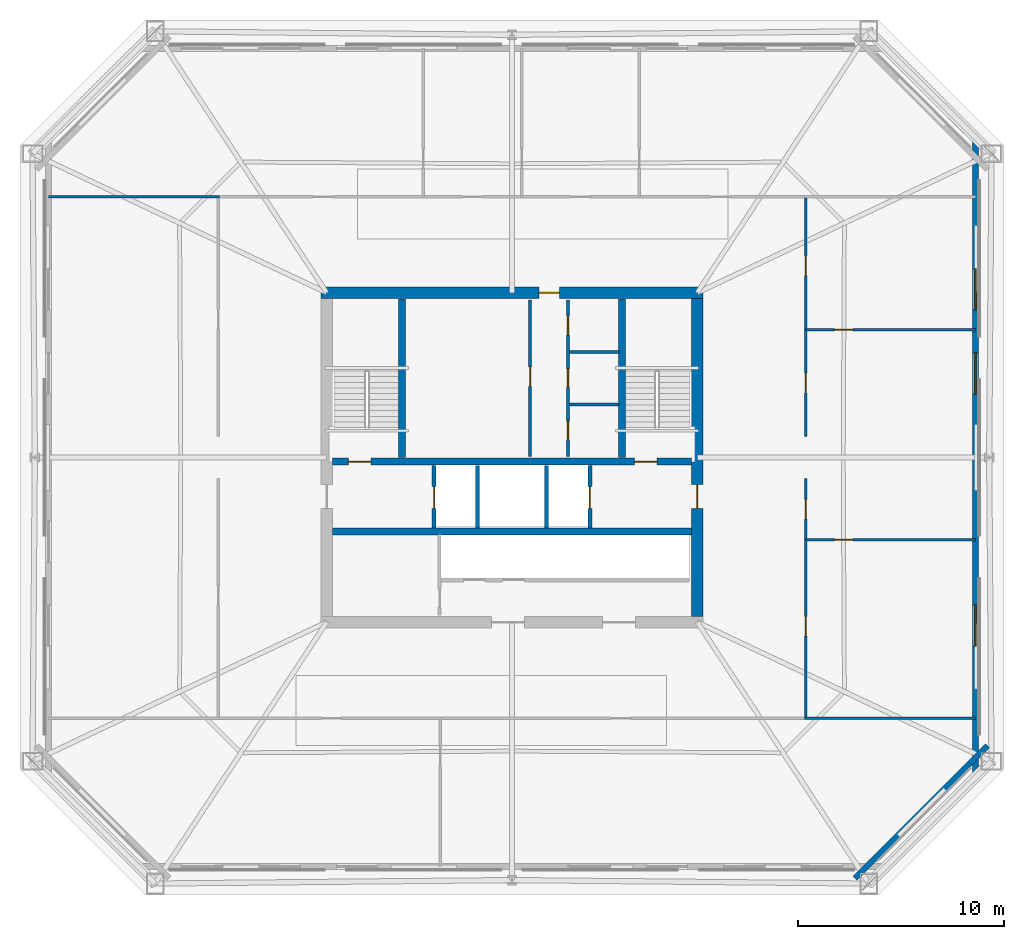
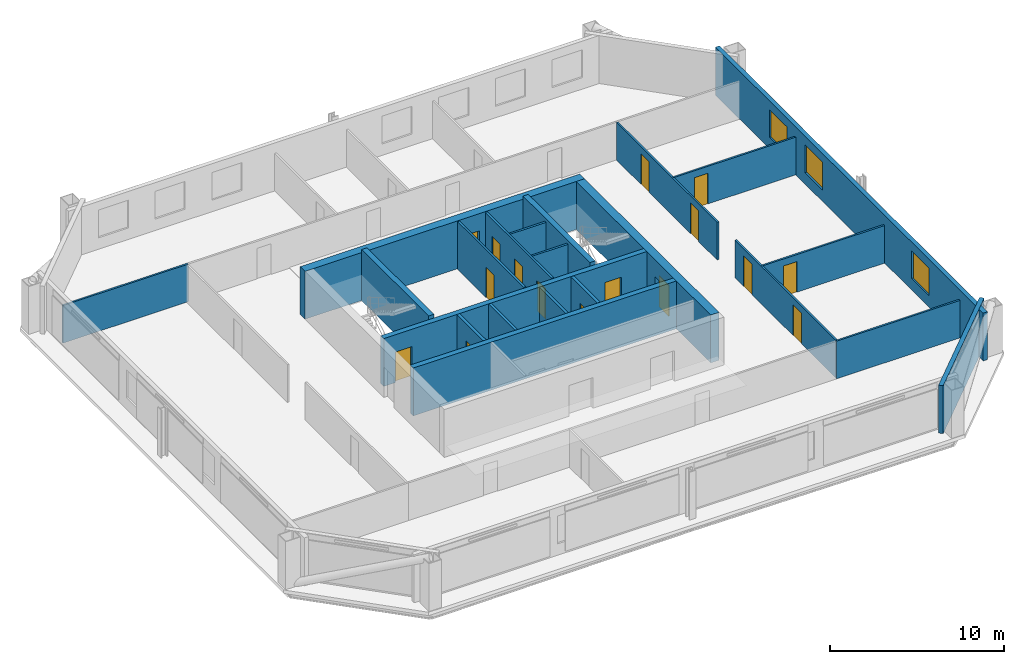
# One storey, part 3 of 6: 22 walls, 16 doors, 3 windows, 19 openings.
"""IFC4 building model written with IfcOpenShell, lengths in metres."""

from ifc_helpers import new_model, si_unit, direction, frame, frame_2d, origin, place, context, subcontext, project, spatial, rectangle, extrude, material, layer, layer_set, type_object, element, fill, save


model = new_model("IFC4")

# Units and contexts
model_context = context("Model", 3, precision=1e-05, world=origin(), true_north=direction((0.0, 1.0)))
body_context = subcontext(model_context, "Body", "Model", "MODEL_VIEW")
ifc_project = project(units=[si_unit("LENGTHUNIT", "METRE"), si_unit("AREAUNIT", "SQUARE_METRE"), si_unit("VOLUMEUNIT", "CUBIC_METRE"), si_unit("PLANEANGLEUNIT", "RADIAN"), si_unit("MASSUNIT", "GRAM", prefix="KILO")], contexts=[model_context])

# Site, building, storey
site_placement = place(None, origin())
site = spatial("IfcSite", under=ifc_project, at=site_placement, CompositionType="ELEMENT")
building_placement = place(site_placement, origin())
building = spatial("IfcBuilding", under=site, at=building_placement, Name="Caelvoria Tower", CompositionType="ELEMENT")
storey_placement = place(building_placement, frame((0.0, 0.0, 131.199951171875)))
storey = spatial("IfcBuildingStorey", under=building, at=storey_placement, Name="L34", CompositionType="ELEMENT", Elevation=131.199951171875)

# Wall, openings, doors
ifc_material_1 = material(Name="Concrete C50/60", Category="concrete")
ifc_layer_1 = layer(ifc_material_1, 0.35009765625, Name="Concrete C50/60")
ifc_layer_set_1 = layer_set([ifc_layer_1], Name="Core Internal Shear Wall 350 - Concrete C50/60")
wall_type_1 = type_object("IfcWallType", Name="Core Internal Shear Wall 350", PredefinedType="SHEAR", material=ifc_layer_set_1)
wall_1_placement = place(storey_placement, frame((37.27490234375, 31.800048828125, 0.0), z_axis=(0.0, 0.0, 1.0), x_axis=(1.0, 0.0, 0.0)))
wall_1 = element("IfcWall", 1, at=wall_1_placement, inside=storey, type_object=wall_type_1, Name="Core Shear Wall L34 M1", PredefinedType="SHEAR", context=body_context, shape_type="SweptSolid", body=[
    extrude(rectangle(XDim=17.4501953125, YDim=0.35009765625, at=frame_2d((8.72509765625, 0.0))), origin(), (0.0, 0.0, 1.0), 3.360107421875),
])
opening_1_placement = place(wall_1_placement, frame((0.77490234375, 0.0, 0.0)))
opening_1 = element("IfcOpeningElement", 2, at=opening_1_placement, cuts=wall_1, Name="Opening ID-01", PredefinedType="OPENING", context=body_context, shape_type="SweptSolid", body=[
    extrude(rectangle(XDim=1.10009765625, YDim=2.14990234375, at=frame_2d((0.550048828125, 1.074951171875))), frame((0.0, 0.18505859375, 0.0), z_axis=(0.0, -1.0, 0.0), x_axis=(1.0, 0.0, 0.0)), (0.0, 0.0, 1.0), 0.3701171875),
])
opening_2_placement = place(wall_1_placement, frame((14.675048828125, 0.0, 0.0)))
opening_2 = element("IfcOpeningElement", 3, at=opening_2_placement, cuts=wall_1, Name="Opening ID-01", PredefinedType="OPENING", context=body_context, shape_type="SweptSolid", body=[
    extrude(rectangle(XDim=1.10009765625, YDim=2.14990234375, at=frame_2d((0.550048828125, 1.074951171875))), frame((0.0, 0.18505859375, 0.0), z_axis=(0.0, -1.0, 0.0), x_axis=(1.0, 0.0, 0.0)), (0.0, 0.0, 1.0), 0.3701171875),
])
ifc_material_2 = material(Name="Painted Hollow Steel Fire Door", Category="steel")
door_type_1 = type_object("IfcDoorType", Name="Fire Door FD90S 1100x2150", OperationType="NOTDEFINED", PredefinedType="DOOR", material=ifc_material_2)
door_1_placement = place(opening_1_placement, origin())
door_1 = element("IfcDoor", 4, at=door_1_placement, inside=storey, type_object=door_type_1, Name="Core Door DR-L34-ST1", OperationType="SINGLE_SWING_LEFT", OverallHeight=2.14990234375, OverallWidth=1.10009765625, PredefinedType="DOOR", context=body_context, shape_type="SweptSolid", body=[
    extrude(rectangle(XDim=1.10009765625, YDim=2.14990234375, at=frame_2d((0.550048828125, 1.074951171875))), frame((0.0, 0.02490234375, 0.0), z_axis=(0.0, -1.0, 0.0), x_axis=(1.0, 0.0, 0.0)), (0.0, 0.0, 1.0), 0.050048828125),
])
fill(opening_1, door_1)
door_2_placement = place(opening_2_placement, origin())
door_2 = element("IfcDoor", 5, at=door_2_placement, inside=storey, type_object=door_type_1, Name="Core Door DR-L34-ST2", OperationType="SINGLE_SWING_RIGHT", OverallHeight=2.14990234375, OverallWidth=1.10009765625, PredefinedType="DOOR", context=body_context, shape_type="SweptSolid", body=[
    extrude(rectangle(XDim=1.10009765625, YDim=2.14990234375, at=frame_2d((0.550048828125, 1.074951171875))), frame((0.0, 0.02490234375, 0.0), z_axis=(0.0, -1.0, 0.0), x_axis=(1.0, 0.0, 0.0)), (0.0, 0.0, 1.0), 0.050048828125),
])
fill(opening_2, door_2)

# Walls
wall_2_placement = place(storey_placement, frame((37.27490234375, 28.39990234375, 0.0), z_axis=(0.0, 0.0, 1.0), x_axis=(1.0, 0.0, 0.0)))
element("IfcWall", 6, at=wall_2_placement, inside=storey, type_object=wall_type_1, Name="Core Shear Wall L34 M2", PredefinedType="SHEAR", context=body_context, shape_type="SweptSolid", body=[
    extrude(rectangle(XDim=17.4501953125, YDim=0.35009765625, at=frame_2d((8.72509765625, 0.0))), origin(), (0.0, 0.0, 1.0), 3.360107421875),
])
for number, where, z_axis, x_axis, name in (
    (7, (40.64990234375, 32.0, 0.0), (0.0, 0.0, 1.0), (0.0, 1.0, 0.0), "Interior Partition IW-L34-ST1E"),
    (8, (51.35009765625, 32.0, 0.0), (0.0, 0.0, 1.0), (0.0, 1.0, 0.0), "Interior Partition IW-L34-ST2W"),
):
    element("IfcWall", number, at=place(storey_placement, frame(where, z_axis=z_axis, x_axis=x_axis)), inside=storey, type_object=wall_type_1, Name=name, PredefinedType="SHEAR", context=body_context, shape_type="SweptSolid", body=[
        extrude(rectangle(XDim=7.699951171875, YDim=0.35009765625, at=frame_2d((3.85009765625, 0.0))), origin(), (0.0, 0.0, 1.0), 3.60009765625),
    ])

# Wall, opening, door
ifc_material_3 = material(Name="Moisture-Resistant Gypsum on Steel Stud", Category="steel")
ifc_layer_2 = layer(ifc_material_3, 0.139892578125, Name="Moisture-Resistant Gypsum on Steel Stud")
ifc_layer_set_2 = layer_set([ifc_layer_2], Name="Core Sanitary Acoustic Partition Wall 140 - Moisture-Resistant Gypsum on Steel Stud")
wall_type_2 = type_object("IfcWallType", Name="Core Sanitary Acoustic Partition Wall 140", PredefinedType="PARTITIONING", material=ifc_layer_set_2)
wall_3_placement = place(storey_placement, frame((46.8798828125, 32.050048828125, 0.0), z_axis=(0.0, 0.0, 1.0), x_axis=(0.0, 1.0, 0.0)))
wall_3 = element("IfcWall", 9, at=wall_3_placement, inside=storey, type_object=wall_type_2, Name="Interior Partition IW-L34-C2L", PredefinedType="PARTITIONING", context=body_context, shape_type="SweptSolid", body=[
    extrude(rectangle(XDim=7.599853515625, YDim=0.139892578125, at=frame_2d((3.7998046875, 0.0))), origin(), (0.0, 0.0, 1.0), 3.360107421875),
])
opening_3_placement = place(wall_3_placement, frame((3.39990234375, 0.0, 0.0)))
opening_3 = element("IfcOpeningElement", 10, at=opening_3_placement, cuts=wall_3, Name="Opening ID-05", PredefinedType="OPENING", context=body_context, shape_type="SweptSolid", body=[
    extrude(rectangle(XDim=0.949951171875, YDim=2.14990234375, at=frame_2d((0.47509765625, 1.074951171875))), frame((0.0, 0.079833984375, 0.0), z_axis=(0.0, -1.0, 0.0), x_axis=(1.0, 0.0, 0.0)), (0.0, 0.0, 1.0), 0.159912109375),
])
ifc_material_4 = material(Name="Engineered Andean Oak Veneer Door", Category="wood")
door_type_2 = type_object("IfcDoorType", Name="Interior Timber Door 950x2150", OperationType="NOTDEFINED", PredefinedType="DOOR", material=ifc_material_4)
door_3_placement = place(opening_3_placement, origin())
door_3 = element("IfcDoor", 11, at=door_3_placement, inside=storey, type_object=door_type_2, Name="Interior Door DR-L34-C2W", OperationType="SINGLE_SWING_LEFT", OverallHeight=2.14990234375, OverallWidth=0.949951171875, PredefinedType="DOOR", context=body_context, shape_type="SweptSolid", body=[
    extrude(rectangle(XDim=0.949951171875, YDim=2.14990234375, at=frame_2d((0.47509765625, 1.074951171875))), frame((0.0, 0.02490234375, 0.0), z_axis=(0.0, -1.0, 0.0), x_axis=(1.0, 0.0, 0.0)), (0.0, 0.0, 1.0), 0.050048828125),
])
fill(opening_3, door_3)

# Wall, openings, doors
wall_4_placement = place(storey_placement, frame((48.719970703125, 32.050048828125, 0.0), z_axis=(0.0, 0.0, 1.0), x_axis=(0.0, 1.0, 0.0)))
wall_4 = element("IfcWall", 12, at=wall_4_placement, inside=storey, type_object=wall_type_2, Name="Interior Partition IW-L34-C2R", PredefinedType="PARTITIONING", context=body_context, shape_type="SweptSolid", body=[
    extrude(rectangle(XDim=7.599853515625, YDim=0.139892578125, at=frame_2d((3.7998046875, 0.0))), origin(), (0.0, 0.0, 1.0), 3.360107421875),
])
opening_4_placement = place(wall_4_placement, frame((0.800048828125, 0.0, 0.0)))
opening_4 = element("IfcOpeningElement", 13, at=opening_4_placement, cuts=wall_4, Name="Opening ID-04", PredefinedType="OPENING", context=body_context, shape_type="SweptSolid", body=[
    extrude(rectangle(XDim=0.89990234375, YDim=2.14990234375, at=frame_2d((0.449951171875, 1.074951171875))), frame((0.0, 0.079833984375, 0.0), z_axis=(0.0, -1.0, 0.0), x_axis=(1.0, 0.0, 0.0)), (0.0, 0.0, 1.0), 0.159912109375),
])
opening_5_placement = place(wall_4_placement, frame((3.35009765625, 0.0, 0.0)))
opening_5 = element("IfcOpeningElement", 14, at=opening_5_placement, cuts=wall_4, Name="Opening ID-06", PredefinedType="OPENING", context=body_context, shape_type="SweptSolid", body=[
    extrude(rectangle(XDim=0.89990234375, YDim=2.14990234375, at=frame_2d((0.449951171875, 1.074951171875))), frame((0.0, 0.079833984375, 0.0), z_axis=(0.0, -1.0, 0.0), x_axis=(1.0, 0.0, 0.0)), (0.0, 0.0, 1.0), 0.159912109375),
])
opening_6_placement = place(wall_4_placement, frame((5.89990234375, 0.0, 0.0)))
opening_6 = element("IfcOpeningElement", 15, at=opening_6_placement, cuts=wall_4, Name="Opening ID-07", PredefinedType="OPENING", context=body_context, shape_type="SweptSolid", body=[
    extrude(rectangle(XDim=0.919921875, YDim=2.14990234375, at=frame_2d((0.4599609375, 1.074951171875))), frame((0.0, 0.079833984375, 0.0), z_axis=(0.0, -1.0, 0.0), x_axis=(1.0, 0.0, 0.0)), (0.0, 0.0, 1.0), 0.159912109375),
])
ifc_material_5 = material(Name="Engineered Andean Oak Accessible Door", Category="wood")
door_type_3 = type_object("IfcDoorType", Name="Accessible WC Door 950x2150", OperationType="NOTDEFINED", PredefinedType="DOOR", material=ifc_material_5)
door_4_placement = place(opening_6_placement, origin())
door_4 = element("IfcDoor", 16, at=door_4_placement, inside=storey, type_object=door_type_3, Name="Interior Door DR-L34-C2E3", OperationType="SINGLE_SWING_RIGHT", OverallHeight=2.14990234375, OverallWidth=0.919921875, PredefinedType="DOOR", context=body_context, shape_type="SweptSolid", body=[
    extrude(rectangle(XDim=0.919921875, YDim=2.14990234375, at=frame_2d((0.4599609375, 1.074951171875))), frame((0.0, 0.02490234375, 0.0), z_axis=(0.0, -1.0, 0.0), x_axis=(1.0, 0.0, 0.0)), (0.0, 0.0, 1.0), 0.050048828125),
])
fill(opening_6, door_4)
ifc_material_6 = material(Name="Acoustic Timber Fire Door", Category="wood")
door_type_4 = type_object("IfcDoorType", Name="Fire Door FD30S 900x2150", OperationType="NOTDEFINED", PredefinedType="DOOR", material=ifc_material_6)
door_5_placement = place(opening_4_placement, origin())
door_5 = element("IfcDoor", 17, at=door_5_placement, inside=storey, type_object=door_type_4, Name="Interior Door DR-L34-C2E1", OperationType="SINGLE_SWING_RIGHT", OverallHeight=2.14990234375, OverallWidth=0.89990234375, PredefinedType="DOOR", context=body_context, shape_type="SweptSolid", body=[
    extrude(rectangle(XDim=0.89990234375, YDim=2.14990234375, at=frame_2d((0.449951171875, 1.074951171875))), frame((0.0, 0.02490234375, 0.0), z_axis=(0.0, -1.0, 0.0), x_axis=(1.0, 0.0, 0.0)), (0.0, 0.0, 1.0), 0.050048828125),
])
fill(opening_4, door_5)
door_type_5 = type_object("IfcDoorType", Name="Interior Timber Door 900x2150", OperationType="NOTDEFINED", PredefinedType="DOOR", material=ifc_material_4)
door_6_placement = place(opening_5_placement, origin())
door_6 = element("IfcDoor", 18, at=door_6_placement, inside=storey, type_object=door_type_5, Name="Interior Door DR-L34-C2E2", OperationType="SINGLE_SWING_LEFT", OverallHeight=2.14990234375, OverallWidth=0.89990234375, PredefinedType="DOOR", context=body_context, shape_type="SweptSolid", body=[
    extrude(rectangle(XDim=0.89990234375, YDim=2.14990234375, at=frame_2d((0.449951171875, 1.074951171875))), frame((0.0, 0.02490234375, 0.0), z_axis=(0.0, -1.0, 0.0), x_axis=(1.0, 0.0, 0.0)), (0.0, 0.0, 1.0), 0.050048828125),
])
fill(opening_5, door_6)

# Walls
for number, where, z_axis, x_axis, name in (
    (19, (48.800048828125, 34.580078125, 0.0), (0.0, 0.0, 1.0), (1.0, 0.0, 0.0), "Interior Partition IW-L34-C2H1"),
    (20, (48.800048828125, 37.1201171875, 0.0), (0.0, 0.0, 1.0), (1.0, 0.0, 0.0), "Interior Partition IW-L34-C2H2"),
):
    element("IfcWall", number, at=place(storey_placement, frame(where, z_axis=z_axis, x_axis=x_axis)), inside=storey, type_object=wall_type_2, Name=name, PredefinedType="PARTITIONING", context=body_context, shape_type="SweptSolid", body=[
        extrude(rectangle(XDim=2.39990234375, YDim=0.139892578125, at=frame_2d((1.199951171875, 0.0))), origin(), (0.0, 0.0, 1.0), 3.360107421875),
    ])
ifc_material_7 = material(Name="Precast Concrete C40/50 with Bronze Cladding", Category="concrete")
ifc_layer_3 = layer(ifc_material_7, 0.280029296875, Name="Precast Concrete C40/50 with Bronze Cladding")
ifc_layer_set_3 = layer_set([ifc_layer_3], Name="Exterior Precast Concrete C40/50 Bronze-Clad Facade Wall 280 - Precast Concrete C40/50 with Bronze Cladding")
wall_type_3 = type_object("IfcWallType", Name="Exterior Precast Concrete C40/50 Bronze-Clad Facade Wall 280", PredefinedType="STANDARD", material=ifc_layer_set_3)
wall_5_placement = place(storey_placement, frame((62.654541015625, 11.55615234375, 0.0), z_axis=(0.0, 0.0, 1.0), x_axis=(0.707106781187, 0.707106781187, 0.0)))
element("IfcWall", 21, at=wall_5_placement, inside=storey, type_object=wall_type_3, Name="Exterior Facade Wall L34-E1", PredefinedType="STANDARD", context=body_context, shape_type="SweptSolid", body=[
    extrude(rectangle(XDim=9.106689453125, YDim=0.280029296875, at=frame_2d((4.55322265625, 0.0))), origin(), (0.0, 0.0, 1.0), 3.360107421875),
])

# Wall, openings, windows
wall_6_placement = place(storey_placement, frame((68.52001953125, 16.610107421875, 0.0), z_axis=(0.0, 0.0, 1.0), x_axis=(0.0, 1.0, 0.0)))
wall_6 = element("IfcWall", 22, at=wall_6_placement, inside=storey, type_object=wall_type_3, Name="Exterior Facade Wall L34-E2", PredefinedType="STANDARD", context=body_context, shape_type="SweptSolid", body=[
    extrude(rectangle(XDim=30.77978515625, YDim=0.280029296875, at=frame_2d((15.389892578125, 0.0))), origin(), (0.0, 0.0, 1.0), 3.360107421875),
])
opening_7_placement = place(wall_6_placement, frame((6.224365234375, 0.0, 0.800048828125)))
opening_7 = element("IfcOpeningElement", 23, at=opening_7_placement, cuts=wall_6, Name="Opening WN-01", PredefinedType="OPENING", context=body_context, shape_type="SweptSolid", body=[
    extrude(rectangle(XDim=2.0, YDim=1.949951171875, at=frame_2d((1.0, 0.97509765625))), frame((0.0, 0.14990234375, 0.0), z_axis=(0.0, -1.0, 0.0), x_axis=(1.0, 0.0, 0.0)), (0.0, 0.0, 1.0), 0.300048828125),
])
opening_8_placement = place(wall_6_placement, frame((18.472900390625, 0.0, 0.800048828125)))
opening_8 = element("IfcOpeningElement", 24, at=opening_8_placement, cuts=wall_6, Name="Opening WN-01", PredefinedType="OPENING", context=body_context, shape_type="SweptSolid", body=[
    extrude(rectangle(XDim=2.0, YDim=1.949951171875, at=frame_2d((1.0, 0.97509765625))), frame((0.0, 0.14990234375, 0.0), z_axis=(0.0, -1.0, 0.0), x_axis=(1.0, 0.0, 0.0)), (0.0, 0.0, 1.0), 0.300048828125),
])
opening_9_placement = place(wall_6_placement, frame((22.5556640625, 0.0, 0.800048828125)))
opening_9 = element("IfcOpeningElement", 25, at=opening_9_placement, cuts=wall_6, Name="Opening WN-01", PredefinedType="OPENING", context=body_context, shape_type="SweptSolid", body=[
    extrude(rectangle(XDim=2.0, YDim=1.949951171875, at=frame_2d((1.0, 0.97509765625))), frame((0.0, 0.14990234375, 0.0), z_axis=(0.0, -1.0, 0.0), x_axis=(1.0, 0.0, 0.0)), (0.0, 0.0, 1.0), 0.300048828125),
])
ifc_material_8 = material(Name="Low-E Tinted Glass in Bronze Aluminium Frame", Category="aluminium")
window_type = type_object("IfcWindowType", Name="Tower Office Vision Window 2000x1950", PartitioningType="SINGLE_PANEL", PredefinedType="WINDOW", material=ifc_material_8)
window_1_placement = place(opening_7_placement, origin())
window_1 = element("IfcWindow", 26, at=window_1_placement, inside=storey, type_object=window_type, Name="Facade Window L34-E2-01", OverallHeight=1.949951171875, OverallWidth=2.0, PartitioningType="SINGLE_PANEL", PredefinedType="WINDOW", context=body_context, shape_type="SweptSolid", body=[
    extrude(rectangle(XDim=2.0, YDim=1.949951171875, at=frame_2d((1.0, 0.97509765625))), frame((0.0, 0.030029296875, 0.0), z_axis=(0.0, -1.0, 0.0), x_axis=(1.0, 0.0, 0.0)), (0.0, 0.0, 1.0), 0.06005859375),
])
fill(opening_7, window_1)
window_2_placement = place(opening_8_placement, origin())
window_2 = element("IfcWindow", 27, at=window_2_placement, inside=storey, type_object=window_type, Name="Facade Window L34-E2-04", OverallHeight=1.949951171875, OverallWidth=2.0, PartitioningType="SINGLE_PANEL", PredefinedType="WINDOW", context=body_context, shape_type="SweptSolid", body=[
    extrude(rectangle(XDim=2.0, YDim=1.949951171875, at=frame_2d((1.0, 0.97509765625))), frame((0.0, 0.030029296875, 0.0), z_axis=(0.0, -1.0, 0.0), x_axis=(1.0, 0.0, 0.0)), (0.0, 0.0, 1.0), 0.06005859375),
])
fill(opening_8, window_2)
window_3_placement = place(opening_9_placement, origin())
window_3 = element("IfcWindow", 28, at=window_3_placement, inside=storey, type_object=window_type, Name="Facade Window L34-E2-05", OverallHeight=1.949951171875, OverallWidth=2.0, PartitioningType="SINGLE_PANEL", PredefinedType="WINDOW", context=body_context, shape_type="SweptSolid", body=[
    extrude(rectangle(XDim=2.0, YDim=1.949951171875, at=frame_2d((1.0, 0.97509765625))), frame((0.0, 0.030029296875, 0.0), z_axis=(0.0, -1.0, 0.0), x_axis=(1.0, 0.0, 0.0)), (0.0, 0.0, 1.0), 0.06005859375),
])
fill(opening_9, window_3)

# Walls
ifc_material_9 = material(Name="Concrete Block and Fireboard Assembly", Category="concrete")
ifc_layer_4 = layer(ifc_material_9, 0.179931640625, Name="Concrete Block and Fireboard Assembly")
ifc_layer_set_4 = layer_set([ifc_layer_4], Name="Fire-Rated Hoistway Partition Wall 180 - Concrete Block and Fireboard Assembly")
wall_type_4 = type_object("IfcWallType", Name="Fire-Rated Hoistway Partition Wall 180", PredefinedType="PARTITIONING", material=ifc_layer_set_4)
for number, where, z_axis, x_axis, name in (
    (29, (44.320068359375, 28.580078125, 0.0), (0.0, 0.0, 1.0), (0.0, 1.0, 0.0), "Interior Partition IW-L34-SV1W"),
    (30, (47.679931640625, 28.580078125, 0.0), (0.0, 0.0, 1.0), (0.0, 1.0, 0.0), "Interior Partition IW-L34-SV1E"),
):
    element("IfcWall", number, at=place(storey_placement, frame(where, z_axis=z_axis, x_axis=x_axis)), inside=storey, type_object=wall_type_4, Name=name, PredefinedType="PARTITIONING", context=body_context, shape_type="SweptSolid", body=[
        extrude(rectangle(XDim=3.0400390625, YDim=0.179931640625, at=frame_2d((1.52001953125, 0.0))), origin(), (0.0, 0.0, 1.0), 3.360107421875),
    ])

# Wall, opening, door
ifc_layer_5 = layer(ifc_material_9, 0.199951171875, Name="Concrete Block and Fireboard Assembly")
ifc_layer_set_5 = layer_set([ifc_layer_5], Name="Fire-Rated Shaft and Core Partition Wall 200 - Concrete Block and Fireboard Assembly")
wall_type_5 = type_object("IfcWallType", Name="Fire-Rated Shaft and Core Partition Wall 200", PredefinedType="PARTITIONING", material=ifc_layer_set_5)
wall_7_placement = place(storey_placement, frame((42.219970703125, 28.580078125, 0.0), z_axis=(0.0, 0.0, 1.0), x_axis=(0.0, 1.0, 0.0)))
wall_7 = element("IfcWall", 31, at=wall_7_placement, inside=storey, type_object=wall_type_5, Name="Interior Partition IW-L34-LF1W", PredefinedType="PARTITIONING", context=body_context, shape_type="SweptSolid", body=[
    extrude(rectangle(XDim=3.0400390625, YDim=0.199951171875, at=frame_2d((1.52001953125, 0.0))), origin(), (0.0, 0.0, 1.0), 3.360107421875),
])
opening_10_placement = place(wall_7_placement, frame((0.949951171875, 0.0, 0.0)))
opening_10 = element("IfcOpeningElement", 32, at=opening_10_placement, cuts=wall_7, Name="Opening LD-01", PredefinedType="OPENING", context=body_context, shape_type="SweptSolid", body=[
    extrude(rectangle(XDim=1.050048828125, YDim=2.14990234375, at=frame_2d((0.52490234375, 1.074951171875))), frame((0.0, 0.10986328125, 0.0), z_axis=(0.0, -1.0, 0.0), x_axis=(1.0, 0.0, 0.0)), (0.0, 0.0, 1.0), 0.219970703125),
])
ifc_material_10 = material(Name="Brushed Bronze Stainless Sliding Landing Door", Category="aluminium")
door_type_6 = type_object("IfcDoorType", Name="Lift Landing Sliding Door 1100x2150", OperationType="NOTDEFINED", PredefinedType="DOOR", material=ifc_material_10)
door_7_placement = place(opening_10_placement, origin())
door_7 = element("IfcDoor", 33, at=door_7_placement, inside=storey, type_object=door_type_6, Name="Interior Door LD-L34-LF1", OperationType="SLIDING_TO_LEFT", OverallHeight=2.14990234375, OverallWidth=1.050048828125, PredefinedType="DOOR", context=body_context, shape_type="SweptSolid", body=[
    extrude(rectangle(XDim=1.050048828125, YDim=2.14990234375, at=frame_2d((0.52490234375, 1.074951171875))), frame((0.0, 0.02490234375, 0.0), z_axis=(0.0, -1.0, 0.0), x_axis=(1.0, 0.0, 0.0)), (0.0, 0.0, 1.0), 0.050048828125),
])
fill(opening_10, door_7)

wall_8_placement = place(storey_placement, frame((49.780029296875, 28.580078125, 0.0), z_axis=(0.0, 0.0, 1.0), x_axis=(0.0, 1.0, 0.0)))
wall_8 = element("IfcWall", 34, at=wall_8_placement, inside=storey, type_object=wall_type_5, Name="Interior Partition IW-L34-LF2E", PredefinedType="PARTITIONING", context=body_context, shape_type="SweptSolid", body=[
    extrude(rectangle(XDim=3.0400390625, YDim=0.199951171875, at=frame_2d((1.52001953125, 0.0))), origin(), (0.0, 0.0, 1.0), 3.360107421875),
])
opening_11_placement = place(wall_8_placement, frame((0.949951171875, 0.0, 0.0)))
opening_11 = element("IfcOpeningElement", 35, at=opening_11_placement, cuts=wall_8, Name="Opening LD-01", PredefinedType="OPENING", context=body_context, shape_type="SweptSolid", body=[
    extrude(rectangle(XDim=1.050048828125, YDim=2.14990234375, at=frame_2d((0.52490234375, 1.074951171875))), frame((0.0, 0.10986328125, 0.0), z_axis=(0.0, -1.0, 0.0), x_axis=(1.0, 0.0, 0.0)), (0.0, 0.0, 1.0), 0.219970703125),
])
door_8_placement = place(opening_11_placement, origin())
door_8 = element("IfcDoor", 36, at=door_8_placement, inside=storey, type_object=door_type_6, Name="Interior Door LD-L34-LF2", OperationType="SLIDING_TO_RIGHT", OverallHeight=2.14990234375, OverallWidth=1.050048828125, PredefinedType="DOOR", context=body_context, shape_type="SweptSolid", body=[
    extrude(rectangle(XDim=1.050048828125, YDim=2.14990234375, at=frame_2d((0.52490234375, 1.074951171875))), frame((0.0, 0.02490234375, 0.0), z_axis=(0.0, -1.0, 0.0), x_axis=(1.0, 0.0, 0.0)), (0.0, 0.0, 1.0), 0.050048828125),
])
fill(opening_11, door_8)

ifc_material_11 = material(Name="Concrete C55/67", Category="concrete")
ifc_layer_6 = layer(ifc_material_11, 0.550048828125, Name="Concrete C55/67")
ifc_layer_set_6 = layer_set([ifc_layer_6], Name="Mid Core Shear Wall 550 - Concrete C55/67")
wall_type_6 = type_object("IfcWallType", Name="Mid Core Shear Wall 550", PredefinedType="SHEAR", material=ifc_layer_set_6)
wall_9_placement = place(storey_placement, frame((36.72509765625, 40.0, 0.0), z_axis=(0.0, 0.0, 1.0), x_axis=(1.0, 0.0, 0.0)))
wall_9 = element("IfcWall", 37, at=wall_9_placement, inside=storey, type_object=wall_type_6, Name="Core Shear Wall L34 N", PredefinedType="SHEAR", context=body_context, shape_type="SweptSolid", body=[
    extrude(rectangle(XDim=18.5498046875, YDim=0.550048828125, at=frame_2d((9.27490234375, 0.0))), origin(), (0.0, 0.0, 1.0), 3.360107421875),
])
opening_12_placement = place(wall_9_placement, frame((10.574951171875, 0.0, 0.0)))
opening_12 = element("IfcOpeningElement", 38, at=opening_12_placement, cuts=wall_9, Name="Opening ID-03", PredefinedType="OPENING", context=body_context, shape_type="SweptSolid", body=[
    extrude(rectangle(XDim=1.0, YDim=2.14990234375, at=frame_2d((0.5, 1.074951171875))), frame((0.0, 0.284912109375, 0.0), z_axis=(0.0, -1.0, 0.0), x_axis=(1.0, 0.0, 0.0)), (0.0, 0.0, 1.0), 0.570068359375),
])
door_type_7 = type_object("IfcDoorType", Name="Fire Door FD60S 1000x2150", OperationType="NOTDEFINED", PredefinedType="DOOR", material=ifc_material_2)
door_9_placement = place(opening_12_placement, origin())
door_9 = element("IfcDoor", 39, at=door_9_placement, inside=storey, type_object=door_type_7, Name="Core Door DR-L34-WC-MAIN", OperationType="SINGLE_SWING_RIGHT", OverallHeight=2.14990234375, OverallWidth=1.0, PredefinedType="DOOR", context=body_context, shape_type="SweptSolid", body=[
    extrude(rectangle(XDim=1.0, YDim=2.14990234375, at=frame_2d((0.5, 1.074951171875))), frame((0.0, 0.02490234375, 0.0), z_axis=(0.0, -1.0, 0.0), x_axis=(1.0, 0.0, 0.0)), (0.0, 0.0, 1.0), 0.050048828125),
])
fill(opening_12, door_9)

wall_10_placement = place(storey_placement, frame((55.0, 24.27490234375, 0.0), z_axis=(0.0, 0.0, 1.0), x_axis=(0.0, 1.0, 0.0)))
wall_10 = element("IfcWall", 40, at=wall_10_placement, inside=storey, type_object=wall_type_6, Name="Core Shear Wall L34 E", PredefinedType="SHEAR", context=body_context, shape_type="SweptSolid", body=[
    extrude(rectangle(XDim=15.4501953125, YDim=0.550048828125, at=frame_2d((7.72509765625, 0.0))), origin(), (0.0, 0.0, 1.0), 3.360107421875),
])
opening_13_placement = place(wall_10_placement, frame((5.25, 0.0, 0.0)))
opening_13 = element("IfcOpeningElement", 41, at=opening_13_placement, cuts=wall_10, Name="Opening ID-02", PredefinedType="OPENING", context=body_context, shape_type="SweptSolid", body=[
    extrude(rectangle(XDim=1.14990234375, YDim=2.14990234375, at=frame_2d((0.574951171875, 1.074951171875))), frame((0.0, 0.284912109375, 0.0), z_axis=(0.0, -1.0, 0.0), x_axis=(1.0, 0.0, 0.0)), (0.0, 0.0, 1.0), 0.570068359375),
])
door_type_8 = type_object("IfcDoorType", Name="Fire Door FD60S 1150x2150", OperationType="NOTDEFINED", PredefinedType="DOOR", material=ifc_material_2)
door_10_placement = place(opening_13_placement, origin())
door_10 = element("IfcDoor", 42, at=door_10_placement, inside=storey, type_object=door_type_8, Name="Core Door DR-L34-FFLE-OUT", OperationType="SINGLE_SWING_RIGHT", OverallHeight=2.14990234375, OverallWidth=1.14990234375, PredefinedType="DOOR", context=body_context, shape_type="SweptSolid", body=[
    extrude(rectangle(XDim=1.14990234375, YDim=2.14990234375, at=frame_2d((0.574951171875, 1.074951171875))), frame((0.0, 0.02490234375, 0.0), z_axis=(0.0, -1.0, 0.0), x_axis=(1.0, 0.0, 0.0)), (0.0, 0.0, 1.0), 0.050048828125),
])
fill(opening_13, door_10)

ifc_material_12 = material(Name="Acoustic Gypsum Board on Light-Gauge Stud", Category="gypsum")
ifc_layer_7 = layer(ifc_material_12, 0.1201171875, Name="Acoustic Gypsum Board on Light-Gauge Stud")
ifc_layer_set_7 = layer_set([ifc_layer_7], Name="Tenant Suite Acoustic Partition Wall 120 - Acoustic Gypsum Board on Light-Gauge Stud")
wall_type_7 = type_object("IfcWallType", Name="Tenant Suite Acoustic Partition Wall 120", PredefinedType="PARTITIONING", material=ifc_layer_set_7)
wall_11_placement = place(storey_placement, frame((60.260009765625, 28.0, 0.0), z_axis=(0.0, 0.0, 1.0), x_axis=(1.0, 0.0, 0.0)))
wall_11 = element("IfcWall", 43, at=wall_11_placement, inside=storey, type_object=wall_type_7, Name="Interior Partition IW-L34-ED-00-0", PredefinedType="PARTITIONING", context=body_context, shape_type="SweptSolid", body=[
    extrude(rectangle(XDim=8.260009765625, YDim=0.1201171875, at=frame_2d((4.1298828125, 0.0))), origin(), (0.0, 0.0, 1.0), 2.64013671875),
])
opening_14_placement = place(wall_11_placement, frame((1.39990234375, 0.0, 0.0)))
opening_14 = element("IfcOpeningElement", 44, at=opening_14_placement, cuts=wall_11, Name="Opening ID-06", PredefinedType="OPENING", context=body_context, shape_type="SweptSolid", body=[
    extrude(rectangle(XDim=0.89990234375, YDim=2.14990234375, at=frame_2d((0.449951171875, 1.074951171875))), frame((0.0, 0.070068359375, 0.0), z_axis=(0.0, -1.0, 0.0), x_axis=(1.0, 0.0, 0.0)), (0.0, 0.0, 1.0), 0.14013671875),
])
door_11_placement = place(opening_14_placement, origin())
door_11 = element("IfcDoor", 45, at=door_11_placement, inside=storey, type_object=door_type_5, Name="Interior Door DR-L34-EM-00-0", OperationType="SINGLE_SWING_RIGHT", OverallHeight=2.14990234375, OverallWidth=0.89990234375, PredefinedType="DOOR", context=body_context, shape_type="SweptSolid", body=[
    extrude(rectangle(XDim=0.89990234375, YDim=2.14990234375, at=frame_2d((0.449951171875, 1.074951171875))), frame((0.0, 0.02490234375, 0.0), z_axis=(0.0, -1.0, 0.0), x_axis=(1.0, 0.0, 0.0)), (0.0, 0.0, 1.0), 0.050048828125),
])
fill(opening_14, door_11)

wall_12_placement = place(storey_placement, frame((60.260009765625, 38.2119140625, 0.0), z_axis=(0.0, 0.0, 1.0), x_axis=(1.0, 0.0, 0.0)))
wall_12 = element("IfcWall", 46, at=wall_12_placement, inside=storey, type_object=wall_type_7, Name="Interior Partition IW-L34-ED-01-0", PredefinedType="PARTITIONING", context=body_context, shape_type="SweptSolid", body=[
    extrude(rectangle(XDim=8.260009765625, YDim=0.1201171875, at=frame_2d((4.1298828125, 0.0))), origin(), (0.0, 0.0, 1.0), 2.64013671875),
])
opening_15_placement = place(wall_12_placement, frame((1.39990234375, 0.0, 0.0)))
opening_15 = element("IfcOpeningElement", 47, at=opening_15_placement, cuts=wall_12, Name="Opening ID-06", PredefinedType="OPENING", context=body_context, shape_type="SweptSolid", body=[
    extrude(rectangle(XDim=0.89990234375, YDim=2.14990234375, at=frame_2d((0.449951171875, 1.074951171875))), frame((0.0, 0.070068359375, 0.0), z_axis=(0.0, -1.0, 0.0), x_axis=(1.0, 0.0, 0.0)), (0.0, 0.0, 1.0), 0.14013671875),
])
door_12_placement = place(opening_15_placement, origin())
door_12 = element("IfcDoor", 48, at=door_12_placement, inside=storey, type_object=door_type_5, Name="Interior Door DR-L34-EM-01-0", OperationType="SINGLE_SWING_LEFT", OverallHeight=2.14990234375, OverallWidth=0.89990234375, PredefinedType="DOOR", context=body_context, shape_type="SweptSolid", body=[
    extrude(rectangle(XDim=0.89990234375, YDim=2.14990234375, at=frame_2d((0.449951171875, 1.074951171875))), frame((0.0, 0.02490234375, 0.0), z_axis=(0.0, -1.0, 0.0), x_axis=(1.0, 0.0, 0.0)), (0.0, 0.0, 1.0), 0.050048828125),
])
fill(opening_15, door_12)

# Wall, openings, doors
wall_13_placement = place(storey_placement, frame((60.260009765625, 19.39990234375, 0.0), z_axis=(0.0, 0.0, 1.0), x_axis=(0.0, 1.0, 0.0)))
wall_13 = element("IfcWall", 49, at=wall_13_placement, inside=storey, type_object=wall_type_7, Name="Interior Partition IW-L34-ECW-0", PredefinedType="PARTITIONING", context=body_context, shape_type="SweptSolid", body=[
    extrude(rectangle(XDim=11.580078125, YDim=0.1201171875, at=frame_2d((5.7900390625, 0.0))), origin(), (0.0, 0.0, 1.0), 2.64013671875),
])
opening_16_placement = place(wall_13_placement, frame((3.925048828125, 0.0, 0.0)))
opening_16 = element("IfcOpeningElement", 50, at=opening_16_placement, cuts=wall_13, Name="Opening ID-05", PredefinedType="OPENING", context=body_context, shape_type="SweptSolid", body=[
    extrude(rectangle(XDim=0.949951171875, YDim=2.14990234375, at=frame_2d((0.47509765625, 1.074951171875))), frame((0.0, 0.070068359375, 0.0), z_axis=(0.0, -1.0, 0.0), x_axis=(1.0, 0.0, 0.0)), (0.0, 0.0, 1.0), 0.14013671875),
])
opening_17_placement = place(wall_13_placement, frame((9.614990234375, 0.0, 0.0)))
opening_17 = element("IfcOpeningElement", 51, at=opening_17_placement, cuts=wall_13, Name="Opening ID-05", PredefinedType="OPENING", context=body_context, shape_type="SweptSolid", body=[
    extrude(rectangle(XDim=0.949951171875, YDim=2.14990234375, at=frame_2d((0.47509765625, 1.074951171875))), frame((0.0, 0.070068359375, 0.0), z_axis=(0.0, -1.0, 0.0), x_axis=(1.0, 0.0, 0.0)), (0.0, 0.0, 1.0), 0.14013671875),
])
door_13_placement = place(opening_16_placement, origin())
door_13 = element("IfcDoor", 52, at=door_13_placement, inside=storey, type_object=door_type_2, Name="Interior Door DR-L34-EC-00-0", OperationType="SINGLE_SWING_LEFT", OverallHeight=2.14990234375, OverallWidth=0.949951171875, PredefinedType="DOOR", context=body_context, shape_type="SweptSolid", body=[
    extrude(rectangle(XDim=0.949951171875, YDim=2.14990234375, at=frame_2d((0.47509765625, 1.074951171875))), frame((0.0, 0.02490234375, 0.0), z_axis=(0.0, -1.0, 0.0), x_axis=(1.0, 0.0, 0.0)), (0.0, 0.0, 1.0), 0.050048828125),
])
fill(opening_16, door_13)
door_14_placement = place(opening_17_placement, origin())
door_14 = element("IfcDoor", 53, at=door_14_placement, inside=storey, type_object=door_type_2, Name="Interior Door DR-L34-EC-01-1", OperationType="SINGLE_SWING_LEFT", OverallHeight=2.14990234375, OverallWidth=0.949951171875, PredefinedType="DOOR", context=body_context, shape_type="SweptSolid", body=[
    extrude(rectangle(XDim=0.949951171875, YDim=2.14990234375, at=frame_2d((0.47509765625, 1.074951171875))), frame((0.0, 0.02490234375, 0.0), z_axis=(0.0, -1.0, 0.0), x_axis=(1.0, 0.0, 0.0)), (0.0, 0.0, 1.0), 0.050048828125),
])
fill(opening_17, door_14)

wall_14_placement = place(storey_placement, frame((60.260009765625, 33.02001953125, 0.0), z_axis=(0.0, 0.0, 1.0), x_axis=(0.0, 1.0, 0.0)))
wall_14 = element("IfcWall", 54, at=wall_14_placement, inside=storey, type_object=wall_type_7, Name="Interior Partition IW-L34-ECW-1", PredefinedType="PARTITIONING", context=body_context, shape_type="SweptSolid", body=[
    extrude(rectangle(XDim=11.580078125, YDim=0.1201171875, at=frame_2d((5.7900390625, 0.0))), origin(), (0.0, 0.0, 1.0), 2.64013671875),
])
opening_18_placement = place(wall_14_placement, frame((2.120849609375, 0.0, 0.0)))
opening_18 = element("IfcOpeningElement", 55, at=opening_18_placement, cuts=wall_14, Name="Opening ID-05", PredefinedType="OPENING", context=body_context, shape_type="SweptSolid", body=[
    extrude(rectangle(XDim=0.949951171875, YDim=2.14990234375, at=frame_2d((0.47509765625, 1.074951171875))), frame((0.0, 0.070068359375, 0.0), z_axis=(0.0, -1.0, 0.0), x_axis=(1.0, 0.0, 0.0)), (0.0, 0.0, 1.0), 0.14013671875),
])
opening_19_placement = place(wall_14_placement, frame((7.810791015625, 0.0, 0.0)))
opening_19 = element("IfcOpeningElement", 56, at=opening_19_placement, cuts=wall_14, Name="Opening ID-05", PredefinedType="OPENING", context=body_context, shape_type="SweptSolid", body=[
    extrude(rectangle(XDim=0.949951171875, YDim=2.14990234375, at=frame_2d((0.47509765625, 1.074951171875))), frame((0.0, 0.070068359375, 0.0), z_axis=(0.0, -1.0, 0.0), x_axis=(1.0, 0.0, 0.0)), (0.0, 0.0, 1.0), 0.14013671875),
])
door_15_placement = place(opening_18_placement, origin())
door_15 = element("IfcDoor", 57, at=door_15_placement, inside=storey, type_object=door_type_2, Name="Interior Door DR-L34-EC-01-0", OperationType="SINGLE_SWING_RIGHT", OverallHeight=2.14990234375, OverallWidth=0.949951171875, PredefinedType="DOOR", context=body_context, shape_type="SweptSolid", body=[
    extrude(rectangle(XDim=0.949951171875, YDim=2.14990234375, at=frame_2d((0.47509765625, 1.074951171875))), frame((0.0, 0.02490234375, 0.0), z_axis=(0.0, -1.0, 0.0), x_axis=(1.0, 0.0, 0.0)), (0.0, 0.0, 1.0), 0.050048828125),
])
fill(opening_18, door_15)
door_16_placement = place(opening_19_placement, origin())
door_16 = element("IfcDoor", 58, at=door_16_placement, inside=storey, type_object=door_type_2, Name="Interior Door DR-L34-EC-02-0", OperationType="SINGLE_SWING_LEFT", OverallHeight=2.14990234375, OverallWidth=0.949951171875, PredefinedType="DOOR", context=body_context, shape_type="SweptSolid", body=[
    extrude(rectangle(XDim=0.949951171875, YDim=2.14990234375, at=frame_2d((0.47509765625, 1.074951171875))), frame((0.0, 0.02490234375, 0.0), z_axis=(0.0, -1.0, 0.0), x_axis=(1.0, 0.0, 0.0)), (0.0, 0.0, 1.0), 0.050048828125),
])
fill(opening_19, door_16)

# Walls
for number, where, z_axis, x_axis, name in (
    (59, (60.199951171875, 19.340087890625, 0.0), (0.0, 0.0, 1.0), (1.0, 0.0, 0.0), "Interior Partition IW-L34-BSE-0"),
    (60, (31.800048828125, 44.659912109375, 0.0), (0.0, 0.0, 1.0), (-1.0, 0.0, 0.0), "Interior Partition IW-L34-BNW-0"),
):
    element("IfcWall", number, at=place(storey_placement, frame(where, z_axis=z_axis, x_axis=x_axis)), inside=storey, type_object=wall_type_7, Name=name, PredefinedType="PARTITIONING", context=body_context, shape_type="SweptSolid", body=[
        extrude(rectangle(XDim=8.320068359375, YDim=0.1201171875, at=frame_2d((4.16015625, 0.0))), origin(), (0.0, 0.0, 1.0), 2.64013671875),
    ])

save(model, "model.ifc")
